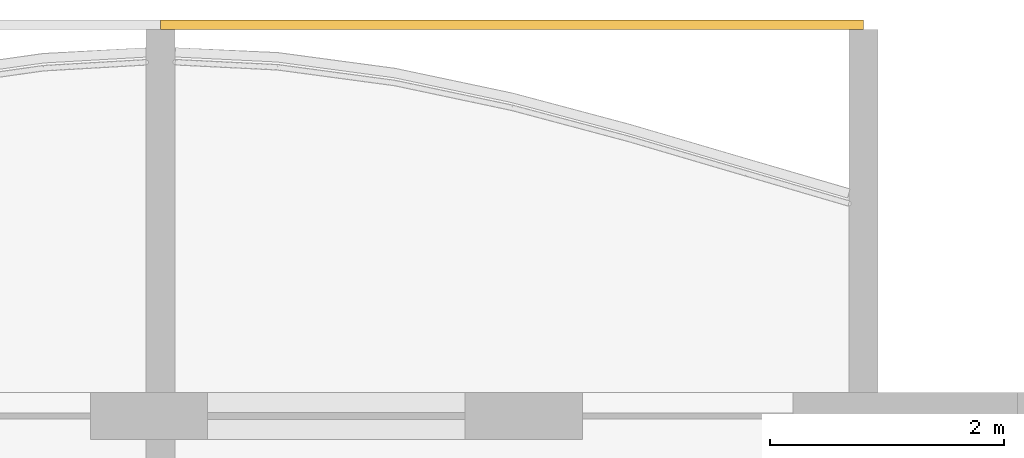
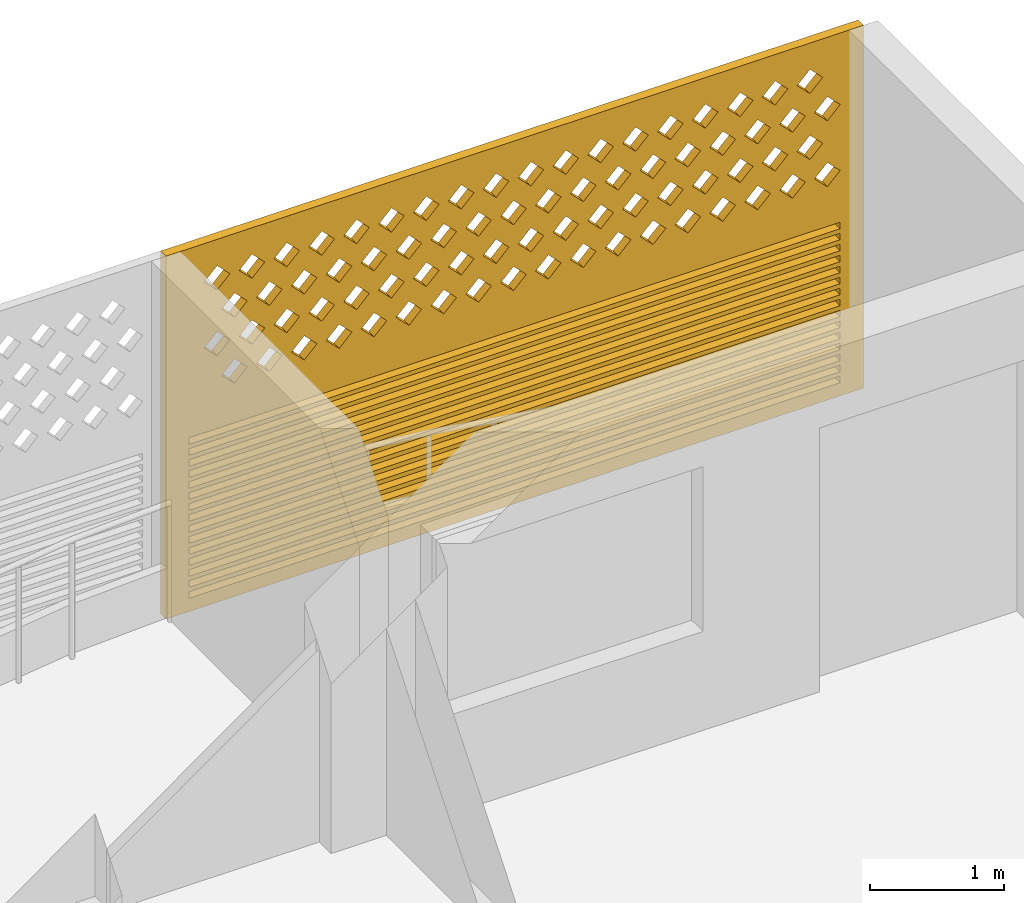
# One storey, part 26 of 26: 1 covering.
"""IFC4 building model written with IfcOpenShell, lengths in metres."""

from ifc_helpers import new_model, si_unit, direction, frame, origin, place, context, subcontext, project, spatial, polyline, outline, extrude, source, transform, mapped, material, material_profile, profile_set, type_object, element, save


model = new_model("IFC4")

# Units and contexts
model_context = context("Model", 3, precision=1e-05, world=origin(), true_north=direction((0.0, 1.0)))
body_context = subcontext(model_context, "Body", "Model", "MODEL_VIEW")
ifc_project = project(units=[si_unit("LENGTHUNIT", "METRE"), si_unit("AREAUNIT", "SQUARE_METRE"), si_unit("VOLUMEUNIT", "CUBIC_METRE"), si_unit("PLANEANGLEUNIT", "RADIAN"), si_unit("MASSUNIT", "GRAM", prefix="KILO")], contexts=[model_context])

# Site, building, storey
site_placement = place(None, origin())
site = spatial("IfcSite", under=ifc_project, at=site_placement, CompositionType="ELEMENT")
building_placement = place(site_placement, origin())
building = spatial("IfcBuilding", under=site, at=building_placement, Name="Poui Terraces", CompositionType="ELEMENT")
storey_placement = place(building_placement, frame((0.0, 0.0, 247.800048828125)))
storey = spatial("IfcBuildingStorey", under=building, at=storey_placement, Name="L69", CompositionType="ELEMENT", Elevation=247.800048828125)

# Covering
ifc_material = material(Name="Terracotta screen", Category="masonry")
ifc_material_profile = material_profile(ifc_material, outline(polyline([(-3.0, -1.64990234375), (3.0, -1.64990234375), (3.0, 1.64990234375), (-3.0, 1.64990234375), (-3.0, -1.64990234375)]), holes=[polyline([(-2.800048828125, 0.39990234375), (-2.68994140625, 0.2900390625), (-2.580078125, 0.39990234375), (-2.68994140625, 0.510009765625), (-2.800048828125, 0.39990234375)]), polyline([(-2.5, 0.39990234375), (-2.389892578125, 0.2900390625), (-2.280029296875, 0.39990234375), (-2.389892578125, 0.510009765625), (-2.5, 0.39990234375)]), polyline([(-2.199951171875, 0.39990234375), (-2.090087890625, 0.2900390625), (-1.97998046875, 0.39990234375), (-2.090087890625, 0.510009765625), (-2.199951171875, 0.39990234375)]), polyline([(-1.89990234375, 0.39990234375), (-1.7900390625, 0.2900390625), (-1.679931640625, 0.39990234375), (-1.7900390625, 0.510009765625), (-1.89990234375, 0.39990234375)]), polyline([(-1.60009765625, 0.39990234375), (-1.489990234375, 0.2900390625), (-1.3798828125, 0.39990234375), (-1.489990234375, 0.510009765625), (-1.60009765625, 0.39990234375)]), polyline([(-1.300048828125, 0.39990234375), (-1.18994140625, 0.2900390625), (-1.080078125, 0.39990234375), (-1.18994140625, 0.510009765625), (-1.300048828125, 0.39990234375)]), polyline([(-1.0, 0.39990234375), (-0.889892578125, 0.2900390625), (-0.780029296875, 0.39990234375), (-0.889892578125, 0.510009765625), (-1.0, 0.39990234375)]), polyline([(-0.699951171875, 0.39990234375), (-0.590087890625, 0.2900390625), (-0.47998046875, 0.39990234375), (-0.590087890625, 0.510009765625), (-0.699951171875, 0.39990234375)]), polyline([(-0.39990234375, 0.39990234375), (-0.2900390625, 0.2900390625), (-0.179931640625, 0.39990234375), (-0.2900390625, 0.510009765625), (-0.39990234375, 0.39990234375)]), polyline([(-0.10009765625, 0.39990234375), (0.010009765625, 0.2900390625), (0.1201171875, 0.39990234375), (0.010009765625, 0.510009765625), (-0.10009765625, 0.39990234375)]), polyline([(0.199951171875, 0.39990234375), (0.31005859375, 0.2900390625), (0.419921875, 0.39990234375), (0.31005859375, 0.510009765625), (0.199951171875, 0.39990234375)]), polyline([(0.5, 0.39990234375), (0.610107421875, 0.2900390625), (0.719970703125, 0.39990234375), (0.610107421875, 0.510009765625), (0.5, 0.39990234375)]), polyline([(0.800048828125, 0.39990234375), (0.909912109375, 0.2900390625), (1.02001953125, 0.39990234375), (0.909912109375, 0.510009765625), (0.800048828125, 0.39990234375)]), polyline([(1.10009765625, 0.39990234375), (1.2099609375, 0.2900390625), (1.320068359375, 0.39990234375), (1.2099609375, 0.510009765625), (1.10009765625, 0.39990234375)]), polyline([(1.39990234375, 0.39990234375), (1.510009765625, 0.2900390625), (1.6201171875, 0.39990234375), (1.510009765625, 0.510009765625), (1.39990234375, 0.39990234375)]), polyline([(1.699951171875, 0.39990234375), (1.81005859375, 0.2900390625), (1.919921875, 0.39990234375), (1.81005859375, 0.510009765625), (1.699951171875, 0.39990234375)]), polyline([(2.0, 0.39990234375), (2.110107421875, 0.2900390625), (2.219970703125, 0.39990234375), (2.110107421875, 0.510009765625), (2.0, 0.39990234375)]), polyline([(2.300048828125, 0.39990234375), (2.409912109375, 0.2900390625), (2.52001953125, 0.39990234375), (2.409912109375, 0.510009765625), (2.300048828125, 0.39990234375)]), polyline([(-2.64990234375, 0.699951171875), (-2.5400390625, 0.590087890625), (-2.429931640625, 0.699951171875), (-2.5400390625, 0.81005859375), (-2.64990234375, 0.699951171875)]), polyline([(-2.35009765625, 0.699951171875), (-2.239990234375, 0.590087890625), (-2.1298828125, 0.699951171875), (-2.239990234375, 0.81005859375), (-2.35009765625, 0.699951171875)]), polyline([(-2.050048828125, 0.699951171875), (-1.93994140625, 0.590087890625), (-1.830078125, 0.699951171875), (-1.93994140625, 0.81005859375), (-2.050048828125, 0.699951171875)]), polyline([(-1.75, 0.699951171875), (-1.639892578125, 0.590087890625), (-1.530029296875, 0.699951171875), (-1.639892578125, 0.81005859375), (-1.75, 0.699951171875)]), polyline([(-1.449951171875, 0.699951171875), (-1.340087890625, 0.590087890625), (-1.22998046875, 0.699951171875), (-1.340087890625, 0.81005859375), (-1.449951171875, 0.699951171875)]), polyline([(-1.14990234375, 0.699951171875), (-1.0400390625, 0.590087890625), (-0.929931640625, 0.699951171875), (-1.0400390625, 0.81005859375), (-1.14990234375, 0.699951171875)]), polyline([(-0.85009765625, 0.699951171875), (-0.739990234375, 0.590087890625), (-0.6298828125, 0.699951171875), (-0.739990234375, 0.81005859375), (-0.85009765625, 0.699951171875)]), polyline([(-0.550048828125, 0.699951171875), (-0.43994140625, 0.590087890625), (-0.330078125, 0.699951171875), (-0.43994140625, 0.81005859375), (-0.550048828125, 0.699951171875)]), polyline([(-0.25, 0.699951171875), (-0.139892578125, 0.590087890625), (-0.030029296875, 0.699951171875), (-0.139892578125, 0.81005859375), (-0.25, 0.699951171875)]), polyline([(0.050048828125, 0.699951171875), (0.159912109375, 0.590087890625), (0.27001953125, 0.699951171875), (0.159912109375, 0.81005859375), (0.050048828125, 0.699951171875)]), polyline([(0.35009765625, 0.699951171875), (0.4599609375, 0.590087890625), (0.570068359375, 0.699951171875), (0.4599609375, 0.81005859375), (0.35009765625, 0.699951171875)]), polyline([(0.64990234375, 0.699951171875), (0.760009765625, 0.590087890625), (0.8701171875, 0.699951171875), (0.760009765625, 0.81005859375), (0.64990234375, 0.699951171875)]), polyline([(0.949951171875, 0.699951171875), (1.06005859375, 0.590087890625), (1.169921875, 0.699951171875), (1.06005859375, 0.81005859375), (0.949951171875, 0.699951171875)]), polyline([(1.25, 0.699951171875), (1.360107421875, 0.590087890625), (1.469970703125, 0.699951171875), (1.360107421875, 0.81005859375), (1.25, 0.699951171875)]), polyline([(1.550048828125, 0.699951171875), (1.659912109375, 0.590087890625), (1.77001953125, 0.699951171875), (1.659912109375, 0.81005859375), (1.550048828125, 0.699951171875)]), polyline([(1.85009765625, 0.699951171875), (1.9599609375, 0.590087890625), (2.070068359375, 0.699951171875), (1.9599609375, 0.81005859375), (1.85009765625, 0.699951171875)]), polyline([(2.14990234375, 0.699951171875), (2.260009765625, 0.590087890625), (2.3701171875, 0.699951171875), (2.260009765625, 0.81005859375), (2.14990234375, 0.699951171875)]), polyline([(2.449951171875, 0.699951171875), (2.56005859375, 0.590087890625), (2.669921875, 0.699951171875), (2.56005859375, 0.81005859375), (2.449951171875, 0.699951171875)]), polyline([(-2.800048828125, 1.0), (-2.68994140625, 0.889892578125), (-2.580078125, 1.0), (-2.68994140625, 1.110107421875), (-2.800048828125, 1.0)]), polyline([(-2.5, 1.0), (-2.389892578125, 0.889892578125), (-2.280029296875, 1.0), (-2.389892578125, 1.110107421875), (-2.5, 1.0)]), polyline([(-2.199951171875, 1.0), (-2.090087890625, 0.889892578125), (-1.97998046875, 1.0), (-2.090087890625, 1.110107421875), (-2.199951171875, 1.0)]), polyline([(-1.89990234375, 1.0), (-1.7900390625, 0.889892578125), (-1.679931640625, 1.0), (-1.7900390625, 1.110107421875), (-1.89990234375, 1.0)]), polyline([(-1.60009765625, 1.0), (-1.489990234375, 0.889892578125), (-1.3798828125, 1.0), (-1.489990234375, 1.110107421875), (-1.60009765625, 1.0)]), polyline([(-1.300048828125, 1.0), (-1.18994140625, 0.889892578125), (-1.080078125, 1.0), (-1.18994140625, 1.110107421875), (-1.300048828125, 1.0)]), polyline([(-1.0, 1.0), (-0.889892578125, 0.889892578125), (-0.780029296875, 1.0), (-0.889892578125, 1.110107421875), (-1.0, 1.0)]), polyline([(-0.699951171875, 1.0), (-0.590087890625, 0.889892578125), (-0.47998046875, 1.0), (-0.590087890625, 1.110107421875), (-0.699951171875, 1.0)]), polyline([(-0.39990234375, 1.0), (-0.2900390625, 0.889892578125), (-0.179931640625, 1.0), (-0.2900390625, 1.110107421875), (-0.39990234375, 1.0)]), polyline([(-0.10009765625, 1.0), (0.010009765625, 0.889892578125), (0.1201171875, 1.0), (0.010009765625, 1.110107421875), (-0.10009765625, 1.0)]), polyline([(0.199951171875, 1.0), (0.31005859375, 0.889892578125), (0.419921875, 1.0), (0.31005859375, 1.110107421875), (0.199951171875, 1.0)]), polyline([(0.5, 1.0), (0.610107421875, 0.889892578125), (0.719970703125, 1.0), (0.610107421875, 1.110107421875), (0.5, 1.0)]), polyline([(0.800048828125, 1.0), (0.909912109375, 0.889892578125), (1.02001953125, 1.0), (0.909912109375, 1.110107421875), (0.800048828125, 1.0)]), polyline([(1.10009765625, 1.0), (1.2099609375, 0.889892578125), (1.320068359375, 1.0), (1.2099609375, 1.110107421875), (1.10009765625, 1.0)]), polyline([(1.39990234375, 1.0), (1.510009765625, 0.889892578125), (1.6201171875, 1.0), (1.510009765625, 1.110107421875), (1.39990234375, 1.0)]), polyline([(1.699951171875, 1.0), (1.81005859375, 0.889892578125), (1.919921875, 1.0), (1.81005859375, 1.110107421875), (1.699951171875, 1.0)]), polyline([(2.0, 1.0), (2.110107421875, 0.889892578125), (2.219970703125, 1.0), (2.110107421875, 1.110107421875), (2.0, 1.0)]), polyline([(2.300048828125, 1.0), (2.409912109375, 0.889892578125), (2.52001953125, 1.0), (2.409912109375, 1.110107421875), (2.300048828125, 1.0)]), polyline([(-2.64990234375, 1.300048828125), (-2.5400390625, 1.18994140625), (-2.429931640625, 1.300048828125), (-2.5400390625, 1.409912109375), (-2.64990234375, 1.300048828125)]), polyline([(-2.35009765625, 1.300048828125), (-2.239990234375, 1.18994140625), (-2.1298828125, 1.300048828125), (-2.239990234375, 1.409912109375), (-2.35009765625, 1.300048828125)]), polyline([(-2.050048828125, 1.300048828125), (-1.93994140625, 1.18994140625), (-1.830078125, 1.300048828125), (-1.93994140625, 1.409912109375), (-2.050048828125, 1.300048828125)]), polyline([(-1.75, 1.300048828125), (-1.639892578125, 1.18994140625), (-1.530029296875, 1.300048828125), (-1.639892578125, 1.409912109375), (-1.75, 1.300048828125)]), polyline([(-1.449951171875, 1.300048828125), (-1.340087890625, 1.18994140625), (-1.22998046875, 1.300048828125), (-1.340087890625, 1.409912109375), (-1.449951171875, 1.300048828125)]), polyline([(-1.14990234375, 1.300048828125), (-1.0400390625, 1.18994140625), (-0.929931640625, 1.300048828125), (-1.0400390625, 1.409912109375), (-1.14990234375, 1.300048828125)]), polyline([(-0.85009765625, 1.300048828125), (-0.739990234375, 1.18994140625), (-0.6298828125, 1.300048828125), (-0.739990234375, 1.409912109375), (-0.85009765625, 1.300048828125)]), polyline([(-0.550048828125, 1.300048828125), (-0.43994140625, 1.18994140625), (-0.330078125, 1.300048828125), (-0.43994140625, 1.409912109375), (-0.550048828125, 1.300048828125)]), polyline([(-0.25, 1.300048828125), (-0.139892578125, 1.18994140625), (-0.030029296875, 1.300048828125), (-0.139892578125, 1.409912109375), (-0.25, 1.300048828125)]), polyline([(0.050048828125, 1.300048828125), (0.159912109375, 1.18994140625), (0.27001953125, 1.300048828125), (0.159912109375, 1.409912109375), (0.050048828125, 1.300048828125)]), polyline([(0.35009765625, 1.300048828125), (0.4599609375, 1.18994140625), (0.570068359375, 1.300048828125), (0.4599609375, 1.409912109375), (0.35009765625, 1.300048828125)]), polyline([(0.64990234375, 1.300048828125), (0.760009765625, 1.18994140625), (0.8701171875, 1.300048828125), (0.760009765625, 1.409912109375), (0.64990234375, 1.300048828125)]), polyline([(0.949951171875, 1.300048828125), (1.06005859375, 1.18994140625), (1.169921875, 1.300048828125), (1.06005859375, 1.409912109375), (0.949951171875, 1.300048828125)]), polyline([(1.25, 1.300048828125), (1.360107421875, 1.18994140625), (1.469970703125, 1.300048828125), (1.360107421875, 1.409912109375), (1.25, 1.300048828125)]), polyline([(1.550048828125, 1.300048828125), (1.659912109375, 1.18994140625), (1.77001953125, 1.300048828125), (1.659912109375, 1.409912109375), (1.550048828125, 1.300048828125)]), polyline([(1.85009765625, 1.300048828125), (1.9599609375, 1.18994140625), (2.070068359375, 1.300048828125), (1.9599609375, 1.409912109375), (1.85009765625, 1.300048828125)]), polyline([(2.14990234375, 1.300048828125), (2.260009765625, 1.18994140625), (2.3701171875, 1.300048828125), (2.260009765625, 1.409912109375), (2.14990234375, 1.300048828125)]), polyline([(2.449951171875, 1.300048828125), (2.56005859375, 1.18994140625), (2.669921875, 1.300048828125), (2.56005859375, 1.409912109375), (2.449951171875, 1.300048828125)]), polyline([(-2.800048828125, -1.530029296875), (2.800048828125, -1.530029296875), (2.800048828125, -1.469970703125), (-2.800048828125, -1.469970703125), (-2.800048828125, -1.530029296875)]), polyline([(-2.800048828125, -1.429931640625), (2.800048828125, -1.429931640625), (2.800048828125, -1.3701171875), (-2.800048828125, -1.3701171875), (-2.800048828125, -1.429931640625)]), polyline([(-2.800048828125, -1.330078125), (2.800048828125, -1.330078125), (2.800048828125, -1.27001953125), (-2.800048828125, -1.27001953125), (-2.800048828125, -1.330078125)]), polyline([(-2.800048828125, -1.22998046875), (2.800048828125, -1.22998046875), (2.800048828125, -1.169921875), (-2.800048828125, -1.169921875), (-2.800048828125, -1.22998046875)]), polyline([(-2.800048828125, -1.1298828125), (2.800048828125, -1.1298828125), (2.800048828125, -1.070068359375), (-2.800048828125, -1.070068359375), (-2.800048828125, -1.1298828125)]), polyline([(-2.800048828125, -1.030029296875), (2.800048828125, -1.030029296875), (2.800048828125, -0.969970703125), (-2.800048828125, -0.969970703125), (-2.800048828125, -1.030029296875)]), polyline([(-2.800048828125, -0.929931640625), (2.800048828125, -0.929931640625), (2.800048828125, -0.8701171875), (-2.800048828125, -0.8701171875), (-2.800048828125, -0.929931640625)]), polyline([(-2.800048828125, -0.830078125), (2.800048828125, -0.830078125), (2.800048828125, -0.77001953125), (-2.800048828125, -0.77001953125), (-2.800048828125, -0.830078125)]), polyline([(-2.800048828125, -0.72998046875), (2.800048828125, -0.72998046875), (2.800048828125, -0.669921875), (-2.800048828125, -0.669921875), (-2.800048828125, -0.72998046875)]), polyline([(-2.800048828125, -0.6298828125), (2.800048828125, -0.6298828125), (2.800048828125, -0.570068359375), (-2.800048828125, -0.570068359375), (-2.800048828125, -0.6298828125)]), polyline([(-2.800048828125, -0.530029296875), (2.800048828125, -0.530029296875), (2.800048828125, -0.469970703125), (-2.800048828125, -0.469970703125), (-2.800048828125, -0.530029296875)]), polyline([(-2.800048828125, -0.429931640625), (2.800048828125, -0.429931640625), (2.800048828125, -0.3701171875), (-2.800048828125, -0.3701171875), (-2.800048828125, -0.429931640625)]), polyline([(-2.800048828125, -0.330078125), (2.800048828125, -0.330078125), (2.800048828125, -0.27001953125), (-2.800048828125, -0.27001953125), (-2.800048828125, -0.330078125)]), polyline([(-2.800048828125, -0.22998046875), (2.800048828125, -0.22998046875), (2.800048828125, -0.169921875), (-2.800048828125, -0.169921875), (-2.800048828125, -0.22998046875)]), polyline([(-2.800048828125, -0.1298828125), (2.800048828125, -0.1298828125), (2.800048828125, -0.070068359375), (-2.800048828125, -0.070068359375), (-2.800048828125, -0.1298828125)])]), Name="TERRACOTTA SCREEN AND JALOUSIE LOUVRE 6000X3300")
ifc_profile_set = profile_set([ifc_material_profile], Name="Terracotta screen")
covering_type = type_object("IfcCoveringType", Name="TERRACOTTA SCREEN AND JALOUSIE LOUVRE 6000X3300", PredefinedType="CLADDING", material=ifc_profile_set)
shared_shape = source(origin(), body_context, "Body", "SweptSolid", [
    extrude(outline(polyline([(-3.0, -1.64990234375), (3.0, -1.64990234375), (3.0, 1.64990234375), (-3.0, 1.64990234375), (-3.0, -1.64990234375)]), holes=[polyline([(-2.800048828125, 0.39990234375), (-2.68994140625, 0.2900390625), (-2.580078125, 0.39990234375), (-2.68994140625, 0.510009765625), (-2.800048828125, 0.39990234375)]), polyline([(-2.5, 0.39990234375), (-2.389892578125, 0.2900390625), (-2.280029296875, 0.39990234375), (-2.389892578125, 0.510009765625), (-2.5, 0.39990234375)]), polyline([(-2.199951171875, 0.39990234375), (-2.090087890625, 0.2900390625), (-1.97998046875, 0.39990234375), (-2.090087890625, 0.510009765625), (-2.199951171875, 0.39990234375)]), polyline([(-1.89990234375, 0.39990234375), (-1.7900390625, 0.2900390625), (-1.679931640625, 0.39990234375), (-1.7900390625, 0.510009765625), (-1.89990234375, 0.39990234375)]), polyline([(-1.60009765625, 0.39990234375), (-1.489990234375, 0.2900390625), (-1.3798828125, 0.39990234375), (-1.489990234375, 0.510009765625), (-1.60009765625, 0.39990234375)]), polyline([(-1.300048828125, 0.39990234375), (-1.18994140625, 0.2900390625), (-1.080078125, 0.39990234375), (-1.18994140625, 0.510009765625), (-1.300048828125, 0.39990234375)]), polyline([(-1.0, 0.39990234375), (-0.889892578125, 0.2900390625), (-0.780029296875, 0.39990234375), (-0.889892578125, 0.510009765625), (-1.0, 0.39990234375)]), polyline([(-0.699951171875, 0.39990234375), (-0.590087890625, 0.2900390625), (-0.47998046875, 0.39990234375), (-0.590087890625, 0.510009765625), (-0.699951171875, 0.39990234375)]), polyline([(-0.39990234375, 0.39990234375), (-0.2900390625, 0.2900390625), (-0.179931640625, 0.39990234375), (-0.2900390625, 0.510009765625), (-0.39990234375, 0.39990234375)]), polyline([(-0.10009765625, 0.39990234375), (0.010009765625, 0.2900390625), (0.1201171875, 0.39990234375), (0.010009765625, 0.510009765625), (-0.10009765625, 0.39990234375)]), polyline([(0.199951171875, 0.39990234375), (0.31005859375, 0.2900390625), (0.419921875, 0.39990234375), (0.31005859375, 0.510009765625), (0.199951171875, 0.39990234375)]), polyline([(0.5, 0.39990234375), (0.610107421875, 0.2900390625), (0.719970703125, 0.39990234375), (0.610107421875, 0.510009765625), (0.5, 0.39990234375)]), polyline([(0.800048828125, 0.39990234375), (0.909912109375, 0.2900390625), (1.02001953125, 0.39990234375), (0.909912109375, 0.510009765625), (0.800048828125, 0.39990234375)]), polyline([(1.10009765625, 0.39990234375), (1.2099609375, 0.2900390625), (1.320068359375, 0.39990234375), (1.2099609375, 0.510009765625), (1.10009765625, 0.39990234375)]), polyline([(1.39990234375, 0.39990234375), (1.510009765625, 0.2900390625), (1.6201171875, 0.39990234375), (1.510009765625, 0.510009765625), (1.39990234375, 0.39990234375)]), polyline([(1.699951171875, 0.39990234375), (1.81005859375, 0.2900390625), (1.919921875, 0.39990234375), (1.81005859375, 0.510009765625), (1.699951171875, 0.39990234375)]), polyline([(2.0, 0.39990234375), (2.110107421875, 0.2900390625), (2.219970703125, 0.39990234375), (2.110107421875, 0.510009765625), (2.0, 0.39990234375)]), polyline([(2.300048828125, 0.39990234375), (2.409912109375, 0.2900390625), (2.52001953125, 0.39990234375), (2.409912109375, 0.510009765625), (2.300048828125, 0.39990234375)]), polyline([(-2.64990234375, 0.699951171875), (-2.5400390625, 0.590087890625), (-2.429931640625, 0.699951171875), (-2.5400390625, 0.81005859375), (-2.64990234375, 0.699951171875)]), polyline([(-2.35009765625, 0.699951171875), (-2.239990234375, 0.590087890625), (-2.1298828125, 0.699951171875), (-2.239990234375, 0.81005859375), (-2.35009765625, 0.699951171875)]), polyline([(-2.050048828125, 0.699951171875), (-1.93994140625, 0.590087890625), (-1.830078125, 0.699951171875), (-1.93994140625, 0.81005859375), (-2.050048828125, 0.699951171875)]), polyline([(-1.75, 0.699951171875), (-1.639892578125, 0.590087890625), (-1.530029296875, 0.699951171875), (-1.639892578125, 0.81005859375), (-1.75, 0.699951171875)]), polyline([(-1.449951171875, 0.699951171875), (-1.340087890625, 0.590087890625), (-1.22998046875, 0.699951171875), (-1.340087890625, 0.81005859375), (-1.449951171875, 0.699951171875)]), polyline([(-1.14990234375, 0.699951171875), (-1.0400390625, 0.590087890625), (-0.929931640625, 0.699951171875), (-1.0400390625, 0.81005859375), (-1.14990234375, 0.699951171875)]), polyline([(-0.85009765625, 0.699951171875), (-0.739990234375, 0.590087890625), (-0.6298828125, 0.699951171875), (-0.739990234375, 0.81005859375), (-0.85009765625, 0.699951171875)]), polyline([(-0.550048828125, 0.699951171875), (-0.43994140625, 0.590087890625), (-0.330078125, 0.699951171875), (-0.43994140625, 0.81005859375), (-0.550048828125, 0.699951171875)]), polyline([(-0.25, 0.699951171875), (-0.139892578125, 0.590087890625), (-0.030029296875, 0.699951171875), (-0.139892578125, 0.81005859375), (-0.25, 0.699951171875)]), polyline([(0.050048828125, 0.699951171875), (0.159912109375, 0.590087890625), (0.27001953125, 0.699951171875), (0.159912109375, 0.81005859375), (0.050048828125, 0.699951171875)]), polyline([(0.35009765625, 0.699951171875), (0.4599609375, 0.590087890625), (0.570068359375, 0.699951171875), (0.4599609375, 0.81005859375), (0.35009765625, 0.699951171875)]), polyline([(0.64990234375, 0.699951171875), (0.760009765625, 0.590087890625), (0.8701171875, 0.699951171875), (0.760009765625, 0.81005859375), (0.64990234375, 0.699951171875)]), polyline([(0.949951171875, 0.699951171875), (1.06005859375, 0.590087890625), (1.169921875, 0.699951171875), (1.06005859375, 0.81005859375), (0.949951171875, 0.699951171875)]), polyline([(1.25, 0.699951171875), (1.360107421875, 0.590087890625), (1.469970703125, 0.699951171875), (1.360107421875, 0.81005859375), (1.25, 0.699951171875)]), polyline([(1.550048828125, 0.699951171875), (1.659912109375, 0.590087890625), (1.77001953125, 0.699951171875), (1.659912109375, 0.81005859375), (1.550048828125, 0.699951171875)]), polyline([(1.85009765625, 0.699951171875), (1.9599609375, 0.590087890625), (2.070068359375, 0.699951171875), (1.9599609375, 0.81005859375), (1.85009765625, 0.699951171875)]), polyline([(2.14990234375, 0.699951171875), (2.260009765625, 0.590087890625), (2.3701171875, 0.699951171875), (2.260009765625, 0.81005859375), (2.14990234375, 0.699951171875)]), polyline([(2.449951171875, 0.699951171875), (2.56005859375, 0.590087890625), (2.669921875, 0.699951171875), (2.56005859375, 0.81005859375), (2.449951171875, 0.699951171875)]), polyline([(-2.800048828125, 1.0), (-2.68994140625, 0.889892578125), (-2.580078125, 1.0), (-2.68994140625, 1.110107421875), (-2.800048828125, 1.0)]), polyline([(-2.5, 1.0), (-2.389892578125, 0.889892578125), (-2.280029296875, 1.0), (-2.389892578125, 1.110107421875), (-2.5, 1.0)]), polyline([(-2.199951171875, 1.0), (-2.090087890625, 0.889892578125), (-1.97998046875, 1.0), (-2.090087890625, 1.110107421875), (-2.199951171875, 1.0)]), polyline([(-1.89990234375, 1.0), (-1.7900390625, 0.889892578125), (-1.679931640625, 1.0), (-1.7900390625, 1.110107421875), (-1.89990234375, 1.0)]), polyline([(-1.60009765625, 1.0), (-1.489990234375, 0.889892578125), (-1.3798828125, 1.0), (-1.489990234375, 1.110107421875), (-1.60009765625, 1.0)]), polyline([(-1.300048828125, 1.0), (-1.18994140625, 0.889892578125), (-1.080078125, 1.0), (-1.18994140625, 1.110107421875), (-1.300048828125, 1.0)]), polyline([(-1.0, 1.0), (-0.889892578125, 0.889892578125), (-0.780029296875, 1.0), (-0.889892578125, 1.110107421875), (-1.0, 1.0)]), polyline([(-0.699951171875, 1.0), (-0.590087890625, 0.889892578125), (-0.47998046875, 1.0), (-0.590087890625, 1.110107421875), (-0.699951171875, 1.0)]), polyline([(-0.39990234375, 1.0), (-0.2900390625, 0.889892578125), (-0.179931640625, 1.0), (-0.2900390625, 1.110107421875), (-0.39990234375, 1.0)]), polyline([(-0.10009765625, 1.0), (0.010009765625, 0.889892578125), (0.1201171875, 1.0), (0.010009765625, 1.110107421875), (-0.10009765625, 1.0)]), polyline([(0.199951171875, 1.0), (0.31005859375, 0.889892578125), (0.419921875, 1.0), (0.31005859375, 1.110107421875), (0.199951171875, 1.0)]), polyline([(0.5, 1.0), (0.610107421875, 0.889892578125), (0.719970703125, 1.0), (0.610107421875, 1.110107421875), (0.5, 1.0)]), polyline([(0.800048828125, 1.0), (0.909912109375, 0.889892578125), (1.02001953125, 1.0), (0.909912109375, 1.110107421875), (0.800048828125, 1.0)]), polyline([(1.10009765625, 1.0), (1.2099609375, 0.889892578125), (1.320068359375, 1.0), (1.2099609375, 1.110107421875), (1.10009765625, 1.0)]), polyline([(1.39990234375, 1.0), (1.510009765625, 0.889892578125), (1.6201171875, 1.0), (1.510009765625, 1.110107421875), (1.39990234375, 1.0)]), polyline([(1.699951171875, 1.0), (1.81005859375, 0.889892578125), (1.919921875, 1.0), (1.81005859375, 1.110107421875), (1.699951171875, 1.0)]), polyline([(2.0, 1.0), (2.110107421875, 0.889892578125), (2.219970703125, 1.0), (2.110107421875, 1.110107421875), (2.0, 1.0)]), polyline([(2.300048828125, 1.0), (2.409912109375, 0.889892578125), (2.52001953125, 1.0), (2.409912109375, 1.110107421875), (2.300048828125, 1.0)]), polyline([(-2.64990234375, 1.300048828125), (-2.5400390625, 1.18994140625), (-2.429931640625, 1.300048828125), (-2.5400390625, 1.409912109375), (-2.64990234375, 1.300048828125)]), polyline([(-2.35009765625, 1.300048828125), (-2.239990234375, 1.18994140625), (-2.1298828125, 1.300048828125), (-2.239990234375, 1.409912109375), (-2.35009765625, 1.300048828125)]), polyline([(-2.050048828125, 1.300048828125), (-1.93994140625, 1.18994140625), (-1.830078125, 1.300048828125), (-1.93994140625, 1.409912109375), (-2.050048828125, 1.300048828125)]), polyline([(-1.75, 1.300048828125), (-1.639892578125, 1.18994140625), (-1.530029296875, 1.300048828125), (-1.639892578125, 1.409912109375), (-1.75, 1.300048828125)]), polyline([(-1.449951171875, 1.300048828125), (-1.340087890625, 1.18994140625), (-1.22998046875, 1.300048828125), (-1.340087890625, 1.409912109375), (-1.449951171875, 1.300048828125)]), polyline([(-1.14990234375, 1.300048828125), (-1.0400390625, 1.18994140625), (-0.929931640625, 1.300048828125), (-1.0400390625, 1.409912109375), (-1.14990234375, 1.300048828125)]), polyline([(-0.85009765625, 1.300048828125), (-0.739990234375, 1.18994140625), (-0.6298828125, 1.300048828125), (-0.739990234375, 1.409912109375), (-0.85009765625, 1.300048828125)]), polyline([(-0.550048828125, 1.300048828125), (-0.43994140625, 1.18994140625), (-0.330078125, 1.300048828125), (-0.43994140625, 1.409912109375), (-0.550048828125, 1.300048828125)]), polyline([(-0.25, 1.300048828125), (-0.139892578125, 1.18994140625), (-0.030029296875, 1.300048828125), (-0.139892578125, 1.409912109375), (-0.25, 1.300048828125)]), polyline([(0.050048828125, 1.300048828125), (0.159912109375, 1.18994140625), (0.27001953125, 1.300048828125), (0.159912109375, 1.409912109375), (0.050048828125, 1.300048828125)]), polyline([(0.35009765625, 1.300048828125), (0.4599609375, 1.18994140625), (0.570068359375, 1.300048828125), (0.4599609375, 1.409912109375), (0.35009765625, 1.300048828125)]), polyline([(0.64990234375, 1.300048828125), (0.760009765625, 1.18994140625), (0.8701171875, 1.300048828125), (0.760009765625, 1.409912109375), (0.64990234375, 1.300048828125)]), polyline([(0.949951171875, 1.300048828125), (1.06005859375, 1.18994140625), (1.169921875, 1.300048828125), (1.06005859375, 1.409912109375), (0.949951171875, 1.300048828125)]), polyline([(1.25, 1.300048828125), (1.360107421875, 1.18994140625), (1.469970703125, 1.300048828125), (1.360107421875, 1.409912109375), (1.25, 1.300048828125)]), polyline([(1.550048828125, 1.300048828125), (1.659912109375, 1.18994140625), (1.77001953125, 1.300048828125), (1.659912109375, 1.409912109375), (1.550048828125, 1.300048828125)]), polyline([(1.85009765625, 1.300048828125), (1.9599609375, 1.18994140625), (2.070068359375, 1.300048828125), (1.9599609375, 1.409912109375), (1.85009765625, 1.300048828125)]), polyline([(2.14990234375, 1.300048828125), (2.260009765625, 1.18994140625), (2.3701171875, 1.300048828125), (2.260009765625, 1.409912109375), (2.14990234375, 1.300048828125)]), polyline([(2.449951171875, 1.300048828125), (2.56005859375, 1.18994140625), (2.669921875, 1.300048828125), (2.56005859375, 1.409912109375), (2.449951171875, 1.300048828125)]), polyline([(-2.800048828125, -1.530029296875), (2.800048828125, -1.530029296875), (2.800048828125, -1.469970703125), (-2.800048828125, -1.469970703125), (-2.800048828125, -1.530029296875)]), polyline([(-2.800048828125, -1.429931640625), (2.800048828125, -1.429931640625), (2.800048828125, -1.3701171875), (-2.800048828125, -1.3701171875), (-2.800048828125, -1.429931640625)]), polyline([(-2.800048828125, -1.330078125), (2.800048828125, -1.330078125), (2.800048828125, -1.27001953125), (-2.800048828125, -1.27001953125), (-2.800048828125, -1.330078125)]), polyline([(-2.800048828125, -1.22998046875), (2.800048828125, -1.22998046875), (2.800048828125, -1.169921875), (-2.800048828125, -1.169921875), (-2.800048828125, -1.22998046875)]), polyline([(-2.800048828125, -1.1298828125), (2.800048828125, -1.1298828125), (2.800048828125, -1.070068359375), (-2.800048828125, -1.070068359375), (-2.800048828125, -1.1298828125)]), polyline([(-2.800048828125, -1.030029296875), (2.800048828125, -1.030029296875), (2.800048828125, -0.969970703125), (-2.800048828125, -0.969970703125), (-2.800048828125, -1.030029296875)]), polyline([(-2.800048828125, -0.929931640625), (2.800048828125, -0.929931640625), (2.800048828125, -0.8701171875), (-2.800048828125, -0.8701171875), (-2.800048828125, -0.929931640625)]), polyline([(-2.800048828125, -0.830078125), (2.800048828125, -0.830078125), (2.800048828125, -0.77001953125), (-2.800048828125, -0.77001953125), (-2.800048828125, -0.830078125)]), polyline([(-2.800048828125, -0.72998046875), (2.800048828125, -0.72998046875), (2.800048828125, -0.669921875), (-2.800048828125, -0.669921875), (-2.800048828125, -0.72998046875)]), polyline([(-2.800048828125, -0.6298828125), (2.800048828125, -0.6298828125), (2.800048828125, -0.570068359375), (-2.800048828125, -0.570068359375), (-2.800048828125, -0.6298828125)]), polyline([(-2.800048828125, -0.530029296875), (2.800048828125, -0.530029296875), (2.800048828125, -0.469970703125), (-2.800048828125, -0.469970703125), (-2.800048828125, -0.530029296875)]), polyline([(-2.800048828125, -0.429931640625), (2.800048828125, -0.429931640625), (2.800048828125, -0.3701171875), (-2.800048828125, -0.3701171875), (-2.800048828125, -0.429931640625)]), polyline([(-2.800048828125, -0.330078125), (2.800048828125, -0.330078125), (2.800048828125, -0.27001953125), (-2.800048828125, -0.27001953125), (-2.800048828125, -0.330078125)]), polyline([(-2.800048828125, -0.22998046875), (2.800048828125, -0.22998046875), (2.800048828125, -0.169921875), (-2.800048828125, -0.169921875), (-2.800048828125, -0.22998046875)]), polyline([(-2.800048828125, -0.1298828125), (2.800048828125, -0.1298828125), (2.800048828125, -0.070068359375), (-2.800048828125, -0.070068359375), (-2.800048828125, -0.1298828125)])]), origin(), (0.0, 0.0, 1.0), 0.080078125),
])
covering_placement = place(storey_placement, frame((75.0, 44.5, 1.449951171875), z_axis=(0.0, 1.0, 0.0), x_axis=(-1.0, 0.0, 0.0)))
element("IfcCovering", 1, at=covering_placement, inside=storey, type_object=covering_type, Name="SOLAR SCREEN AND JALOUSIE LOUVRE", PredefinedType="CLADDING", context=body_context, shape_type="MappedRepresentation", body=[
    mapped(shared_shape, transform((0.0, 0.0, 0.0))),
])

save(model, "model.ifc")
